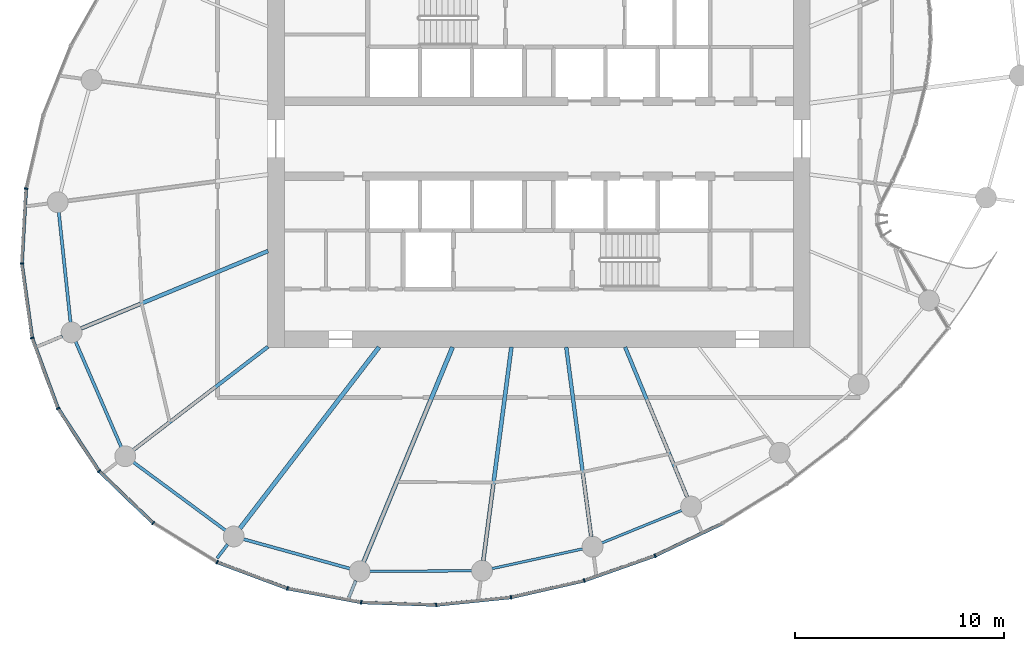
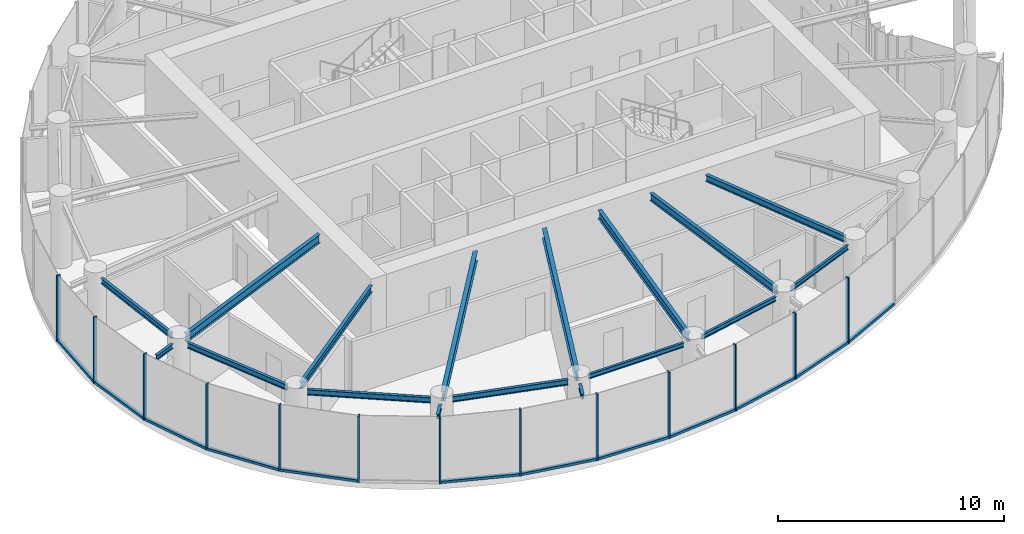
# One storey, part 2 of 19: 25 members, 17 beams, 3 elements without a shape of their own.
"""IFC4 building model written with IfcOpenShell, lengths in metres."""

from ifc_helpers import new_model, si_unit, direction, frame, origin, origin_2d, place, context, subcontext, project, spatial, rectangle, i_section, extrude, source, transform, mapped, material, layer, layer_set, material_profile, profile_set, type_object, element, aggregate, save


model = new_model("IFC4")

# Units and contexts
model_context = context("Model", 3, precision=1e-05, world=origin(), true_north=direction((0.0, 1.0)))
body_context = subcontext(model_context, "Body", "Model", "MODEL_VIEW")
ifc_project = project(units=[si_unit("LENGTHUNIT", "METRE"), si_unit("AREAUNIT", "SQUARE_METRE"), si_unit("VOLUMEUNIT", "CUBIC_METRE"), si_unit("PLANEANGLEUNIT", "RADIAN"), si_unit("MASSUNIT", "GRAM", prefix="KILO")], contexts=[model_context])

# Site, building, storey
site_placement = place(None, origin())
site = spatial("IfcSite", under=ifc_project, at=site_placement, CompositionType="ELEMENT")
building_placement = place(site_placement, origin())
building = spatial("IfcBuilding", under=site, at=building_placement, Name="Spindrift Exchange Tower", CompositionType="ELEMENT")
storey_placement = place(building_placement, frame((0.0, 0.0, 137.0)))
storey = spatial("IfcBuildingStorey", under=building, at=storey_placement, Name="L32", CompositionType="ELEMENT", Elevation=137.0)

# Beams
ifc_material_1 = material(Name="Steel Grade 300", Category="steel")
ifc_material_profile_1 = material_profile(ifc_material_1, i_section(OverallWidth=0.18994140625, OverallDepth=0.4541015625, WebThickness=0.008544921875, FlangeThickness=0.0126953125, FilletRadius=0.013916015625, at=origin_2d()), Name="460UB67.1")
ifc_profile_set_1 = profile_set([ifc_material_profile_1], Name="Steel Grade 300")
beam_type_1 = type_object("IfcBeamType", Name="Floor Beam 460UB67.1 Steel Grade 300", PredefinedType="BEAM", material=ifc_profile_set_1)
shared_shape_1 = source(origin(), body_context, "Body", "SweptSolid", [
    extrude(i_section(OverallWidth=0.18994140625, OverallDepth=0.4541015625, WebThickness=0.008544921875, FlangeThickness=0.0126953125, FilletRadius=0.013916015625, at=origin_2d()), origin(), (0.0, 0.0, 1.0), 9.7109375),
])
beam_1_placement = place(storey_placement, frame((39.0185546875, 42.622802734375, 3.35302734375), z_axis=(-0.923884154486, -0.382672273741, 0.0), x_axis=(0.382672273741, -0.923884154486, 0.0)))
element("IfcBeam", 1, at=beam_1_placement, inside=storey, type_object=beam_type_1, Name="L32 radial beam R14A", PredefinedType="BEAM", context=body_context, shape_type="MappedRepresentation", body=[
    mapped(shared_shape_1, transform((0.0, 0.0, 0.0), scale=1.0)),
])
ifc_material_profile_2 = material_profile(ifc_material_1, i_section(OverallWidth=0.1708984375, OverallDepth=0.35205078125, WebThickness=0.0068359375, FlangeThickness=0.009765625, FilletRadius=0.013916015625, at=origin_2d()), Name="360UB44.7")
ifc_profile_set_2 = profile_set([ifc_material_profile_2], Name="Steel Grade 300")
beam_type_2 = type_object("IfcBeamType", Name="Floor Beam 360UB44.7 Steel Grade 300", PredefinedType="BEAM", material=ifc_profile_set_2)
shared_shape_2 = source(origin(), body_context, "Body", "SweptSolid", [
    extrude(i_section(OverallWidth=0.1708984375, OverallDepth=0.35205078125, WebThickness=0.0068359375, FlangeThickness=0.009765625, FilletRadius=0.013916015625, at=origin_2d()), origin(), (0.0, 0.0, 1.0), 8.143798828125),
])
beam_2_placement = place(storey_placement, frame((39.015869140625, 38.036865234375, 3.404052734375), z_axis=(-0.793361179131, -0.608751213098, 0.0), x_axis=(0.608751213098, -0.793361179131, 0.0)))
element("IfcBeam", 2, at=beam_2_placement, inside=storey, type_object=beam_type_2, Name="L32 radial beam R15A", PredefinedType="BEAM", context=body_context, shape_type="MappedRepresentation", body=[
    mapped(shared_shape_2, transform((0.0, 0.0, 0.0), scale=1.0)),
])
ifc_material_profile_3 = material_profile(ifc_material_1, i_section(OverallWidth=0.208984375, OverallDepth=0.528076171875, WebThickness=0.009521484375, FlangeThickness=0.01318359375, FilletRadius=0.013916015625, at=origin_2d()), Name="530UB82.0")
ifc_profile_set_3 = profile_set([ifc_material_profile_3], Name="Steel Grade 300")
beam_type_3 = type_object("IfcBeamType", Name="Floor Beam 530UB82.0 Steel Grade 300", PredefinedType="BEAM", material=ifc_profile_set_3)
shared_shape_3 = source(origin(), body_context, "Body", "SweptSolid", [
    extrude(i_section(OverallWidth=0.208984375, OverallDepth=0.528076171875, WebThickness=0.009521484375, FlangeThickness=0.01318359375, FilletRadius=0.013916015625, at=origin_2d()), origin(), (0.0, 0.0, 1.0), 10.959228515625),
])
beam_3_placement = place(storey_placement, frame((44.3388671875, 38.015869140625, 3.31591796875), z_axis=(-0.608764008616, -0.793351360882, 0.0), x_axis=(0.793351360882, -0.608764008616, 0.0)))
element("IfcBeam", 3, at=beam_3_placement, inside=storey, type_object=beam_type_3, Name="L32 radial beam R16A", PredefinedType="BEAM", context=body_context, shape_type="MappedRepresentation", body=[
    mapped(shared_shape_3, transform((0.0, 0.0, 0.0), scale=1.0)),
])
shared_shape_4 = source(origin(), body_context, "Body", "SweptSolid", [
    extrude(i_section(OverallWidth=0.208984375, OverallDepth=0.528076171875, WebThickness=0.009521484375, FlangeThickness=0.01318359375, FilletRadius=0.013916015625, at=origin_2d()), origin(), (0.0, 0.0, 1.0), 11.155029296875),
])
beam_4_placement = place(storey_placement, frame((47.865478515625, 38.0185546875, 3.31591796875), z_axis=(-0.382679750175, -0.923881057716, 0.0), x_axis=(0.923881057716, -0.382679750175, 0.0)))
element("IfcBeam", 4, at=beam_4_placement, inside=storey, type_object=beam_type_3, Name="L32 radial beam R17A", PredefinedType="BEAM", context=body_context, shape_type="MappedRepresentation", body=[
    mapped(shared_shape_4, transform((0.0, 0.0, 0.0), scale=1.0)),
])
shared_shape_5 = source(origin(), body_context, "Body", "SweptSolid", [
    extrude(i_section(OverallWidth=0.18994140625, OverallDepth=0.4541015625, WebThickness=0.008544921875, FlangeThickness=0.0126953125, FilletRadius=0.013916015625, at=origin_2d()), origin(), (0.0, 0.0, 1.0), 10.337646484375),
])
beam_5_placement = place(storey_placement, frame((50.68603515625, 38.019775390625, 3.35302734375), z_axis=(-0.130528432357, -0.991444566452, 0.0), x_axis=(0.991444566452, -0.130528432357, 0.0)))
element("IfcBeam", 5, at=beam_5_placement, inside=storey, type_object=beam_type_1, Name="L32 radial beam R18A", PredefinedType="BEAM", context=body_context, shape_type="MappedRepresentation", body=[
    mapped(shared_shape_5, transform((0.0, 0.0, 0.0), scale=1.0)),
])
ifc_material_profile_4 = material_profile(ifc_material_1, i_section(OverallWidth=0.177978515625, OverallDepth=0.403076171875, WebThickness=0.007568359375, FlangeThickness=0.010986328125, FilletRadius=0.013916015625, at=origin_2d()), Name="410UB53.7")
ifc_profile_set_4 = profile_set([ifc_material_profile_4], Name="Steel Grade 300")
beam_type_4 = type_object("IfcBeamType", Name="Floor Beam 410UB53.7 Steel Grade 300", PredefinedType="BEAM", material=ifc_profile_set_4)
shared_shape_6 = source(origin(), body_context, "Body", "SweptSolid", [
    extrude(i_section(OverallWidth=0.177978515625, OverallDepth=0.403076171875, WebThickness=0.007568359375, FlangeThickness=0.010986328125, FilletRadius=0.013916015625, at=origin_2d()), origin(), (0.0, 0.0, 1.0), 9.173583984375),
])
beam_6_placement = place(storey_placement, frame((53.31396484375, 38.019775390625, 3.37841796875), z_axis=(0.130510963431, -0.991446866163, 0.0), x_axis=(0.991446866163, 0.130510963431, 0.0)))
element("IfcBeam", 6, at=beam_6_placement, inside=storey, type_object=beam_type_4, Name="L32 radial beam R19A", PredefinedType="BEAM", context=body_context, shape_type="MappedRepresentation", body=[
    mapped(shared_shape_6, transform((0.0, 0.0, 0.0), scale=1.0)),
])
shared_shape_7 = source(origin(), body_context, "Body", "SweptSolid", [
    extrude(i_section(OverallWidth=0.1708984375, OverallDepth=0.35205078125, WebThickness=0.0068359375, FlangeThickness=0.009765625, FilletRadius=0.013916015625, at=origin_2d()), origin(), (0.0, 0.0, 1.0), 7.794189453125),
])
beam_7_placement = place(storey_placement, frame((56.134521484375, 38.0185546875, 3.404052734375), z_axis=(0.382677309185, -0.923882068792, 0.0), x_axis=(0.923882068792, 0.382677309185, 0.0)))
element("IfcBeam", 7, at=beam_7_placement, inside=storey, type_object=beam_type_2, Name="L32 radial beam R20A", PredefinedType="BEAM", context=body_context, shape_type="MappedRepresentation", body=[
    mapped(shared_shape_7, transform((0.0, 0.0, 0.0), scale=1.0)),
])
ifc_material_profile_5 = material_profile(ifc_material_1, i_section(OverallWidth=0.14892578125, OverallDepth=0.298095703125, WebThickness=0.005615234375, FlangeThickness=0.008056640625, FilletRadius=0.012939453125, at=origin_2d()), Name="310UB32.0")
ifc_profile_set_5 = profile_set([ifc_material_profile_5], Name="Steel Grade 300")
beam_type_5 = type_object("IfcBeamType", Name="Edge Beam 310UB32.0 Steel Grade 300", PredefinedType="SPANDREL", material=ifc_profile_set_5)
shared_shape_8 = source(origin(), body_context, "Body", "SweptSolid", [
    extrude(i_section(OverallWidth=0.14892578125, OverallDepth=0.298095703125, WebThickness=0.005615234375, FlangeThickness=0.008056640625, FilletRadius=0.012939453125, at=origin_2d()), origin(), (0.0, 0.0, 1.0), 5.31640625),
])
beam_8_placement = place(storey_placement, frame((28.989013671875, 44.486572265625, 3.430908203125), z_axis=(0.10598990948, -0.994367205357, 0.0), x_axis=(0.994367205357, 0.10598990948, 0.0)))
element("IfcBeam", 8, at=beam_8_placement, inside=storey, type_object=beam_type_5, Name="L32 edge beam E13", PredefinedType="SPANDREL", context=body_context, shape_type="MappedRepresentation", body=[
    mapped(shared_shape_8, transform((0.0, 0.0, 0.0), scale=1.0)),
])
shared_shape_9 = source(origin(), body_context, "Body", "SweptSolid", [
    extrude(i_section(OverallWidth=0.14892578125, OverallDepth=0.298095703125, WebThickness=0.005615234375, FlangeThickness=0.008056640625, FilletRadius=0.012939453125, at=origin_2d()), origin(), (0.0, 0.0, 1.0), 5.508544921875),
])
beam_9_placement = place(storey_placement, frame((29.794189453125, 38.282470703125, 3.430908203125), z_axis=(0.397414644433, -0.917639144975, 0.0), x_axis=(0.917639144975, 0.397414644433, 0.0)))
element("IfcBeam", 9, at=beam_9_placement, inside=storey, type_object=beam_type_5, Name="L32 edge beam E14", PredefinedType="SPANDREL", context=body_context, shape_type="MappedRepresentation", body=[
    mapped(shared_shape_9, transform((0.0, 0.0, 0.0), scale=1.0)),
])
shared_shape_10 = source(origin(), body_context, "Body", "SweptSolid", [
    extrude(i_section(OverallWidth=0.14892578125, OverallDepth=0.298095703125, WebThickness=0.005615234375, FlangeThickness=0.008056640625, FilletRadius=0.012939453125, at=origin_2d()), origin(), (0.0, 0.0, 1.0), 5.509033203125),
])
beam_10_placement = place(storey_placement, frame((32.56005859375, 32.501708984375, 3.430908203125), z_axis=(0.803991901791, -0.594640245741, 0.0), x_axis=(0.594640245741, 0.803991901791, 0.0)))
element("IfcBeam", 10, at=beam_10_placement, inside=storey, type_object=beam_type_5, Name="L32 edge beam E15", PredefinedType="SPANDREL", context=body_context, shape_type="MappedRepresentation", body=[
    mapped(shared_shape_10, transform((0.0, 0.0, 0.0), scale=1.0)),
])
shared_shape_11 = source(origin(), body_context, "Body", "SweptSolid", [
    extrude(i_section(OverallWidth=0.14892578125, OverallDepth=0.298095703125, WebThickness=0.005615234375, FlangeThickness=0.008056640625, FilletRadius=0.012939453125, at=origin_2d()), origin(), (0.0, 0.0, 1.0), 5.30517578125),
])
beam_11_placement = place(storey_placement, frame((37.837646484375, 28.8125, 3.430908203125), z_axis=(0.963757513624, -0.26677978734, 0.0), x_axis=(0.26677978734, 0.963757513624, 0.0)))
element("IfcBeam", 11, at=beam_11_placement, inside=storey, type_object=beam_type_5, Name="L32 edge beam E16", PredefinedType="SPANDREL", context=body_context, shape_type="MappedRepresentation", body=[
    mapped(shared_shape_11, transform((0.0, 0.0, 0.0), scale=1.0)),
])
ifc_material_profile_6 = material_profile(ifc_material_1, i_section(OverallWidth=0.1240234375, OverallDepth=0.248046875, WebThickness=0.0048828125, FlangeThickness=0.008056640625, FilletRadius=0.011962890625, at=origin_2d()), Name="250UB25.7")
ifc_profile_set_6 = profile_set([ifc_material_profile_6], Name="Steel Grade 300")
beam_type_6 = type_object("IfcBeamType", Name="Edge Beam 250UB25.7 Steel Grade 300", PredefinedType="SPANDREL", material=ifc_profile_set_6)
shared_shape_12 = source(origin(), body_context, "Body", "SweptSolid", [
    extrude(i_section(OverallWidth=0.1240234375, OverallDepth=0.248046875, WebThickness=0.0048828125, FlangeThickness=0.008056640625, FilletRadius=0.011962890625, at=origin_2d()), origin(), (0.0, 0.0, 1.0), 4.901123046875),
])
beam_12_placement = place(storey_placement, frame((43.89306640625, 27.271240234375, 3.4560546875), z_axis=(0.999990609444, 0.004333707747, 0.0), x_axis=(-0.004333707747, 0.999990609444, 0.0)))
element("IfcBeam", 12, at=beam_12_placement, inside=storey, type_object=beam_type_6, Name="L32 edge beam E17", PredefinedType="SPANDREL", context=body_context, shape_type="MappedRepresentation", body=[
    mapped(shared_shape_12, transform((0.0, 0.0, 0.0), scale=1.0)),
])
shared_shape_13 = source(origin(), body_context, "Body", "SweptSolid", [
    extrude(i_section(OverallWidth=0.1240234375, OverallDepth=0.248046875, WebThickness=0.0048828125, FlangeThickness=0.008056640625, FilletRadius=0.011962890625, at=origin_2d()), origin(), (0.0, 0.0, 1.0), 4.464111328125),
])
beam_13_placement = place(storey_placement, frame((49.7431640625, 27.396728515625, 3.4560546875), z_axis=(0.977095837978, 0.212799726048, 0.0), x_axis=(-0.212799726048, 0.977095837978, 0.0)))
element("IfcBeam", 13, at=beam_13_placement, inside=storey, type_object=beam_type_6, Name="L32 edge beam E18", PredefinedType="SPANDREL", context=body_context, shape_type="MappedRepresentation", body=[
    mapped(shared_shape_13, transform((0.0, 0.0, 0.0), scale=1.0)),
])
shared_shape_14 = source(origin(), body_context, "Body", "SweptSolid", [
    extrude(i_section(OverallWidth=0.1240234375, OverallDepth=0.248046875, WebThickness=0.0048828125, FlangeThickness=0.008056640625, FilletRadius=0.011962890625, at=origin_2d()), origin(), (0.0, 0.0, 1.0), 4.143798828125),
])
beam_14_placement = place(storey_placement, frame((55.0185546875, 28.6298828125, 3.4560546875), z_axis=(0.926113706975, 0.377244485385, 0.0), x_axis=(-0.377244485385, 0.926113706975, 0.0)))
element("IfcBeam", 14, at=beam_14_placement, inside=storey, type_object=beam_type_6, Name="L32 edge beam E19", PredefinedType="SPANDREL", context=body_context, shape_type="MappedRepresentation", body=[
    mapped(shared_shape_14, transform((0.0, 0.0, 0.0), scale=1.0)),
])
ifc_material_profile_7 = material_profile(ifc_material_1, i_section(OverallWidth=0.14599609375, OverallDepth=0.251953125, WebThickness=0.006103515625, FlangeThickness=0.008544921875, FilletRadius=0.011962890625, at=origin_2d()), Name="250UB31.4")
ifc_profile_set_7 = profile_set([ifc_material_profile_7], Name="Steel Grade 300")
beam_type_7 = type_object("IfcBeamType", Name="Cantilever Beam 250UB31.4 Steel Grade 300", PredefinedType="BEAM", material=ifc_profile_set_7)
shared_shape_15 = source(origin(), body_context, "Body", "SweptSolid", [
    extrude(i_section(OverallWidth=0.14599609375, OverallDepth=0.251953125, WebThickness=0.006103515625, FlangeThickness=0.008544921875, FilletRadius=0.011962890625, at=origin_2d()), origin(), (0.0, 0.0, 1.0), 1.16943359375),
])
beam_15_placement = place(storey_placement, frame((29.159912109375, 38.539306640625, 3.4541015625), z_axis=(-0.923871782586, -0.382702141804, 0.0), x_axis=(0.382702141804, -0.923871782586, 0.0)))
element("IfcBeam", 15, at=beam_15_placement, inside=storey, type_object=beam_type_7, Name="L32 cantilever beam R14T", PredefinedType="BEAM", context=body_context, shape_type="MappedRepresentation", body=[
    mapped(shared_shape_15, transform((0.0, 0.0, 0.0), scale=1.0)),
])
shared_shape_16 = source(origin(), body_context, "Body", "SweptSolid", [
    extrude(i_section(OverallWidth=0.14599609375, OverallDepth=0.251953125, WebThickness=0.006103515625, FlangeThickness=0.008544921875, FilletRadius=0.011962890625, at=origin_2d()), origin(), (0.0, 0.0, 1.0), 0.830078125),
])
beam_16_placement = place(storey_placement, frame((37.0830078125, 28.559814453125, 3.4541015625), z_axis=(-0.608857528418, -0.793279591373, 0.0), x_axis=(0.793279591373, -0.608857528418, 0.0)))
element("IfcBeam", 16, at=beam_16_placement, inside=storey, type_object=beam_type_7, Name="L32 cantilever beam R16T", PredefinedType="BEAM", context=body_context, shape_type="MappedRepresentation", body=[
    mapped(shared_shape_16, transform((0.0, 0.0, 0.0), scale=1.0)),
])
shared_shape_17 = source(origin(), body_context, "Body", "SweptSolid", [
    extrude(i_section(OverallWidth=0.14599609375, OverallDepth=0.251953125, WebThickness=0.006103515625, FlangeThickness=0.008544921875, FilletRadius=0.011962890625, at=origin_2d()), origin(), (0.0, 0.0, 1.0), 0.874755859375),
])
beam_17_placement = place(storey_placement, frame((43.229248046875, 26.82568359375, 3.4541015625), z_axis=(-0.382672260774, -0.923884159857, 0.0), x_axis=(0.923884159857, -0.382672260774, 0.0)))
element("IfcBeam", 17, at=beam_17_placement, inside=storey, type_object=beam_type_7, Name="L32 cantilever beam R17T", PredefinedType="BEAM", context=body_context, shape_type="MappedRepresentation", body=[
    mapped(shared_shape_17, transform((0.0, 0.0, 0.0), scale=1.0)),
])

# Curtain wall, members
ifc_material_2 = material(Name="Fritted laminated glass with bronze frame", Category="glass")
ifc_layer = layer(ifc_material_2, 0.179931640625)
ifc_layer_set = layer_set([ifc_layer], Name="ZONE 3 BRONZE FRITTED WALL")
curtain_wall_type = type_object("IfcCurtainWallType", Name="ZONE 3 BRONZE FRITTED WALL", PredefinedType="NOTDEFINED", material=ifc_layer_set)
curtain_wall_1_placement = place(storey_placement, origin())
curtain_wall_1 = element("IfcCurtainWall", 18, at=curtain_wall_1_placement, inside=storey, type_object=curtain_wall_type, Name="L32 Zone 3 Bronze Fritted Wall run 4", PredefinedType="NOTDEFINED")
ifc_material_3 = material(Name="Bronze anodised aluminium", Category="aluminium")
ifc_material_profile_8 = material_profile(ifc_material_3, rectangle(XDim=0.159912109375, YDim=0.1298828125, at=origin_2d()), Name="ZONE 3 BRONZE FRITTED WALL TRANSOM 160X130")
ifc_profile_set_8 = profile_set([ifc_material_profile_8], Name="Bronze anodised aluminium")
member_type_1 = type_object("IfcMemberType", Name="ZONE 3 BRONZE FRITTED WALL TRANSOM 160X130", PredefinedType="USERDEFINED", material=ifc_profile_set_8)
shared_shape_18 = source(origin(), body_context, "Body", "SweptSolid", [
    extrude(rectangle(XDim=0.159912109375, YDim=0.1298828125, at=origin_2d()), origin(), (0.0, 0.0, 1.0), 3.53076171875),
])
member_1_placement = place(storey_placement, frame((54.208251953125, 26.8330078125, 0.06494140625), z_axis=(0.943260660115, 0.33205319917, 0.0), x_axis=(-0.33205319917, 0.943260660115, 0.0)))
member_1 = element("IfcMember", 19, at=member_1_placement, type_object=member_type_1, Name="L32 transom CW-3.22", ObjectType="TRANSOM", PredefinedType="USERDEFINED", context=body_context, shape_type="MappedRepresentation", body=[
    mapped(shared_shape_18, transform((0.0, 0.0, 0.0), scale=1.0)),
])
member_2_placement = place(storey_placement, frame((57.603271484375, 28.031982421875, 0.06494140625), z_axis=(0.901730121747, 0.432299418845, 0.0), x_axis=(-0.432299418845, 0.901730121747, 0.0)))
member_2 = element("IfcMember", 20, at=member_2_placement, type_object=member_type_1, Name="L32 transom CW-3.23", ObjectType="TRANSOM", PredefinedType="USERDEFINED", context=body_context, shape_type="MappedRepresentation", body=[
    mapped(shared_shape_18, transform((0.0, 0.0, 0.0), scale=1.0)),
])
shared_shape_19 = source(origin(), body_context, "Body", "SweptSolid", [
    extrude(rectangle(XDim=0.159912109375, YDim=0.1298828125, at=origin_2d()), origin(), (0.0, 0.0, 1.0), 3.5302734375),
])
member_3_placement = place(storey_placement, frame((50.698974609375, 26.029296875, 0.06494140625), z_axis=(0.975002939919, 0.222191960136, 0.0), x_axis=(-0.222191960136, 0.975002939919, 0.0)))
member_3 = element("IfcMember", 21, at=member_3_placement, type_object=member_type_1, Name="L32 transom CW-3.21", ObjectType="TRANSOM", PredefinedType="USERDEFINED", context=body_context, shape_type="MappedRepresentation", body=[
    mapped(shared_shape_19, transform((0.0, 0.0, 0.0), scale=1.0)),
])

# Curtain wall, member
curtain_wall_2_placement = place(storey_placement, origin())
curtain_wall_2 = element("IfcCurtainWall", 22, at=curtain_wall_2_placement, inside=storey, type_object=curtain_wall_type, Name="L32 Zone 3 Bronze Fritted Wall run 3", PredefinedType="NOTDEFINED")
shared_shape_20 = source(origin(), body_context, "Body", "SweptSolid", [
    extrude(rectangle(XDim=0.159912109375, YDim=0.1298828125, at=origin_2d()), origin(), (0.0, 0.0, 1.0), 3.52880859375),
])
member_4_placement = place(storey_placement, frame((39.9833984375, 26.440185546875, 0.06494140625), z_axis=(0.982802407377, -0.184660304491, 0.0), x_axis=(0.184660304491, 0.982802407377, 0.0)))
member_4 = element("IfcMember", 23, at=member_4_placement, type_object=member_type_1, Name="L32 transom CW-3.18", ObjectType="TRANSOM", PredefinedType="USERDEFINED", context=body_context, shape_type="MappedRepresentation", body=[
    mapped(shared_shape_20, transform((0.0, 0.0, 0.0), scale=1.0)),
])

curtain_wall_3_placement = place(storey_placement, origin())
curtain_wall_3 = element("IfcCurtainWall", 24, at=curtain_wall_3_placement, inside=storey, type_object=curtain_wall_type, Name="L32 Zone 3 Bronze Fritted Wall run 2", PredefinedType="NOTDEFINED")
shared_shape_21 = source(origin(), body_context, "Body", "SweptSolid", [
    extrude(rectangle(XDim=0.159912109375, YDim=0.1298828125, at=origin_2d()), origin(), (0.0, 0.0, 1.0), 3.5263671875),
])
member_5_placement = place(storey_placement, frame((27.2255859375, 41.986572265625, 0.06494140625), z_axis=(0.137223080639, -0.990540168868, 0.0), x_axis=(0.990540168868, 0.137223080639, 0.0)))
member_5 = element("IfcMember", 25, at=member_5_placement, type_object=member_type_1, Name="L32 transom CW-3.12", ObjectType="TRANSOM", PredefinedType="USERDEFINED", context=body_context, shape_type="MappedRepresentation", body=[
    mapped(shared_shape_21, transform((0.0, 0.0, 0.0), scale=1.0)),
])

# Member
shared_shape_22 = source(origin(), body_context, "Body", "SweptSolid", [
    extrude(rectangle(XDim=0.159912109375, YDim=0.1298828125, at=origin_2d()), origin(), (0.0, 0.0, 1.0), 3.52490234375),
])
member_6_placement = place(storey_placement, frame((27.726318359375, 38.426025390625, 0.06494140625), z_axis=(0.344572102728, -0.938759855352, 0.0), x_axis=(0.938759855352, 0.344572102728, 0.0)))
member_6 = element("IfcMember", 26, at=member_6_placement, type_object=member_type_1, Name="L32 transom CW-3.13", ObjectType="TRANSOM", PredefinedType="USERDEFINED", context=body_context, shape_type="MappedRepresentation", body=[
    mapped(shared_shape_22, transform((0.0, 0.0, 0.0), scale=1.0)),
])

member_7_placement = place(storey_placement, frame((30.945068359375, 32.05078125, 0.06494140625), z_axis=(0.721502190283, -0.692412152852, 0.0), x_axis=(0.692412152852, 0.721502190283, 0.0)))
member_7 = element("IfcMember", 27, at=member_7_placement, type_object=member_type_1, Name="L32 transom CW-3.15", ObjectType="TRANSOM", PredefinedType="USERDEFINED", context=body_context, shape_type="MappedRepresentation", body=[
    mapped(shared_shape_22, transform((0.0, 0.0, 0.0), scale=1.0)),
])

ifc_material_profile_9 = material_profile(ifc_material_3, rectangle(XDim=0.070068359375, YDim=0.179931640625, at=origin_2d()), Name="ZONE 3 BRONZE FRITTED WALL MULLION 70X180")
ifc_profile_set_9 = profile_set([ifc_material_profile_9], Name="Bronze anodised aluminium")
member_type_2 = type_object("IfcMemberType", Name="ZONE 3 BRONZE FRITTED WALL MULLION 70X180", PredefinedType="MULLION", material=ifc_profile_set_9)
shared_shape_23 = source(origin(), body_context, "Body", "SweptSolid", [
    extrude(rectangle(XDim=0.070068359375, YDim=0.179931640625, at=origin_2d()), origin(), (0.0, 0.0, 1.0), 3.580078125),
])
member_8_placement = place(storey_placement, frame((27.422119140625, 45.61328125, 0.0), z_axis=(0.0, 0.0, 1.0), x_axis=(-0.1411315668, -0.989990848873, 0.0)))
member_8 = element("IfcMember", 28, at=member_8_placement, type_object=member_type_2, Name="L32 mullion CW-3.11", PredefinedType="MULLION", context=body_context, shape_type="MappedRepresentation", body=[
    mapped(shared_shape_23, transform((0.0, 0.0, 0.0), scale=1.0)),
])

member_9_placement = place(storey_placement, frame((27.220947265625, 42.021240234375, 0.0), z_axis=(0.0, 0.0, 1.0), x_axis=(0.040825723134, -0.999166282623, 0.0)))
member_9 = element("IfcMember", 29, at=member_9_placement, type_object=member_type_2, Name="L32 mullion CW-3.12", PredefinedType="MULLION", context=body_context, shape_type="MappedRepresentation", body=[
    mapped(shared_shape_23, transform((0.0, 0.0, 0.0), scale=1.0)),
])

member_10_placement = place(storey_placement, frame((27.714111328125, 38.458984375, 0.0), z_axis=(0.0, 0.0, 1.0), x_axis=(0.242276344528, -0.970207283462, 0.0)))
member_10 = element("IfcMember", 30, at=member_10_placement, type_object=member_type_2, Name="L32 mullion CW-3.13", PredefinedType="MULLION", context=body_context, shape_type="MappedRepresentation", body=[
    mapped(shared_shape_23, transform((0.0, 0.0, 0.0), scale=1.0)),
])

member_11_placement = place(storey_placement, frame((28.953125, 35.083984375, 0.0), z_axis=(0.0, 0.0, 1.0), x_axis=(0.448736778433, -0.893663976941, 0.0)))
member_11 = element("IfcMember", 31, at=member_11_placement, type_object=member_type_2, Name="L32 mullion CW-3.14", PredefinedType="MULLION", context=body_context, shape_type="MappedRepresentation", body=[
    mapped(shared_shape_23, transform((0.0, 0.0, 0.0), scale=1.0)),
])

member_12_placement = place(storey_placement, frame((30.919677734375, 32.0751953125, 0.0), z_axis=(0.0, 0.0, 1.0), x_axis=(0.638415411198, -0.769691992128, 0.0)))
member_12 = element("IfcMember", 32, at=member_12_placement, type_object=member_type_2, Name="L32 mullion CW-3.15", PredefinedType="MULLION", context=body_context, shape_type="MappedRepresentation", body=[
    mapped(shared_shape_23, transform((0.0, 0.0, 0.0), scale=1.0)),
])

member_13_placement = place(storey_placement, frame((33.513671875, 29.5859375, 0.0), z_axis=(0.0, 0.0, 1.0), x_axis=(0.79138583215, -0.611316991971, 0.0)))
member_13 = element("IfcMember", 33, at=member_13_placement, type_object=member_type_2, Name="L32 mullion CW-3.16", PredefinedType="MULLION", context=body_context, shape_type="MappedRepresentation", body=[
    mapped(shared_shape_23, transform((0.0, 0.0, 0.0), scale=1.0)),
])

member_14_placement = place(storey_placement, frame((36.578369140625, 27.7041015625, 0.0), z_axis=(0.0, 0.0, 1.0), x_axis=(0.898759375287, -0.438442225765, 0.0)))
member_14 = element("IfcMember", 34, at=member_14_placement, type_object=member_type_2, Name="L32 mullion CW-3.17", PredefinedType="MULLION", context=body_context, shape_type="MappedRepresentation", body=[
    mapped(shared_shape_23, transform((0.0, 0.0, 0.0), scale=1.0)),
])

member_15_placement = place(storey_placement, frame((39.948974609375, 26.44677734375, 0.0), z_axis=(0.0, 0.0, 1.0), x_axis=(0.963392587763, -0.268094613605, 0.0)))
member_15 = element("IfcMember", 35, at=member_15_placement, type_object=member_type_2, Name="L32 mullion CW-3.18", PredefinedType="MULLION", context=body_context, shape_type="MappedRepresentation", body=[
    mapped(shared_shape_23, transform((0.0, 0.0, 0.0), scale=1.0)),
])

member_16_placement = place(storey_placement, frame((43.485595703125, 25.781982421875, 0.0), z_axis=(0.0, 0.0, 1.0), x_axis=(0.993951233286, -0.10982233766, 0.0)))
member_16 = element("IfcMember", 36, at=member_16_placement, type_object=member_type_2, Name="L32 mullion CW-3.19", PredefinedType="MULLION", context=body_context, shape_type="MappedRepresentation", body=[
    mapped(shared_shape_23, transform((0.0, 0.0, 0.0), scale=1.0)),
])

member_17_placement = place(storey_placement, frame((47.0830078125, 25.658447265625, 0.0), z_axis=(0.0, 0.0, 1.0), x_axis=(0.999445083894, 0.033309522353, 0.0)))
member_17 = element("IfcMember", 37, at=member_17_placement, type_object=member_type_2, Name="L32 mullion CW-3.20", PredefinedType="MULLION", context=body_context, shape_type="MappedRepresentation", body=[
    mapped(shared_shape_23, transform((0.0, 0.0, 0.0), scale=1.0)),
])

member_18_placement = place(storey_placement, frame((50.664794921875, 26.021484375, 0.0), z_axis=(0.0, 0.0, 1.0), x_axis=(0.986822880804, 0.161804208606, 0.0)))
member_18 = element("IfcMember", 38, at=member_18_placement, type_object=member_type_2, Name="L32 mullion CW-3.21", PredefinedType="MULLION", context=body_context, shape_type="MappedRepresentation", body=[
    mapped(shared_shape_23, transform((0.0, 0.0, 0.0), scale=1.0)),
])

member_19_placement = place(storey_placement, frame((54.17529296875, 26.8212890625, 0.0), z_axis=(0.0, 0.0, 1.0), x_axis=(0.960708104355, 0.27756069287, 0.0)))
member_19 = element("IfcMember", 39, at=member_19_placement, type_object=member_type_2, Name="L32 mullion CW-3.22", PredefinedType="MULLION", context=body_context, shape_type="MappedRepresentation", body=[
    mapped(shared_shape_23, transform((0.0, 0.0, 0.0), scale=1.0)),
])

member_20_placement = place(storey_placement, frame((57.57177734375, 28.016845703125, 0.0), z_axis=(0.0, 0.0, 1.0), x_axis=(0.923859824991, 0.382731007064, 0.0)))
member_20 = element("IfcMember", 40, at=member_20_placement, type_object=member_type_2, Name="L32 mullion CW-3.23", PredefinedType="MULLION", context=body_context, shape_type="MappedRepresentation", body=[
    mapped(shared_shape_23, transform((0.0, 0.0, 0.0), scale=1.0)),
])

shared_shape_24 = source(origin(), body_context, "Body", "SweptSolid", [
    extrude(rectangle(XDim=0.159912109375, YDim=0.1298828125, at=origin_2d()), origin(), (0.0, 0.0, 1.0), 3.530029296875),
])
member_21_placement = place(storey_placement, frame((47.117919921875, 25.662109375, 0.06494140625), z_axis=(0.994909699061, 0.100770485334, 0.0), x_axis=(-0.100770485334, 0.994909699061, 0.0)))
member_21 = element("IfcMember", 41, at=member_21_placement, type_object=member_type_1, Name="L32 transom CW-3.20", ObjectType="TRANSOM", PredefinedType="USERDEFINED", context=body_context, shape_type="MappedRepresentation", body=[
    mapped(shared_shape_24, transform((0.0, 0.0, 0.0), scale=1.0)),
])

shared_shape_25 = source(origin(), body_context, "Body", "SweptSolid", [
    extrude(rectangle(XDim=0.159912109375, YDim=0.1298828125, at=origin_2d()), origin(), (0.0, 0.0, 1.0), 3.529541015625),
])
member_22_placement = place(storey_placement, frame((43.520751953125, 25.781005859375, 0.06494140625), z_axis=(0.99940887123, -0.034378890435, 0.0), x_axis=(0.034378890435, 0.99940887123, 0.0)))
member_22 = element("IfcMember", 42, at=member_22_placement, type_object=member_type_1, Name="L32 transom CW-3.19", ObjectType="TRANSOM", PredefinedType="USERDEFINED", context=body_context, shape_type="MappedRepresentation", body=[
    mapped(shared_shape_25, transform((0.0, 0.0, 0.0), scale=1.0)),
])

aggregate(curtain_wall_1, [member_16, member_22, member_17, member_21, member_18, member_3, member_19, member_1, member_20, member_2])

shared_shape_26 = source(origin(), body_context, "Body", "SweptSolid", [
    extrude(rectangle(XDim=0.159912109375, YDim=0.1298828125, at=origin_2d()), origin(), (0.0, 0.0, 1.0), 3.52783203125),
])
member_23_placement = place(storey_placement, frame((27.419921875, 45.578369140625, 0.06494140625), z_axis=(-0.055849479049, -0.998439199796, 0.0), x_axis=(0.998439199796, -0.055849479049, 0.0)))
member_23 = element("IfcMember", 43, at=member_23_placement, type_object=member_type_1, Name="L32 transom CW-3.11", ObjectType="TRANSOM", PredefinedType="USERDEFINED", context=body_context, shape_type="MappedRepresentation", body=[
    mapped(shared_shape_26, transform((0.0, 0.0, 0.0), scale=1.0)),
])

aggregate(curtain_wall_3, [member_8, member_23, member_9, member_5])

shared_shape_27 = source(origin(), body_context, "Body", "SweptSolid", [
    extrude(rectangle(XDim=0.159912109375, YDim=0.1298828125, at=origin_2d()), origin(), (0.0, 0.0, 1.0), 3.524658203125),
])
member_24_placement = place(storey_placement, frame((28.97216796875, 35.0546875, 0.06494140625), z_axis=(0.54714857934, -0.837035502309, 0.0), x_axis=(0.837035502309, 0.54714857934, 0.0)))
member_24 = element("IfcMember", 44, at=member_24_placement, type_object=member_type_1, Name="L32 transom CW-3.14", ObjectType="TRANSOM", PredefinedType="USERDEFINED", context=body_context, shape_type="MappedRepresentation", body=[
    mapped(shared_shape_27, transform((0.0, 0.0, 0.0), scale=1.0)),
])

shared_shape_28 = source(origin(), body_context, "Body", "SweptSolid", [
    extrude(rectangle(XDim=0.159912109375, YDim=0.1298828125, at=origin_2d()), origin(), (0.0, 0.0, 1.0), 3.52734375),
])
member_25_placement = place(storey_placement, frame((36.611083984375, 27.69189453125, 0.06494140625), z_axis=(0.936927966465, -0.349522510944, 0.0), x_axis=(0.349522510944, 0.936927966465, 0.0)))
member_25 = element("IfcMember", 45, at=member_25_placement, type_object=member_type_1, Name="L32 transom CW-3.17", ObjectType="TRANSOM", PredefinedType="USERDEFINED", context=body_context, shape_type="MappedRepresentation", body=[
    mapped(shared_shape_28, transform((0.0, 0.0, 0.0), scale=1.0)),
])

aggregate(curtain_wall_2, [member_10, member_6, member_11, member_24, member_12, member_7, member_13, member_14, member_25, member_15, member_4])

save(model, "model.ifc")
